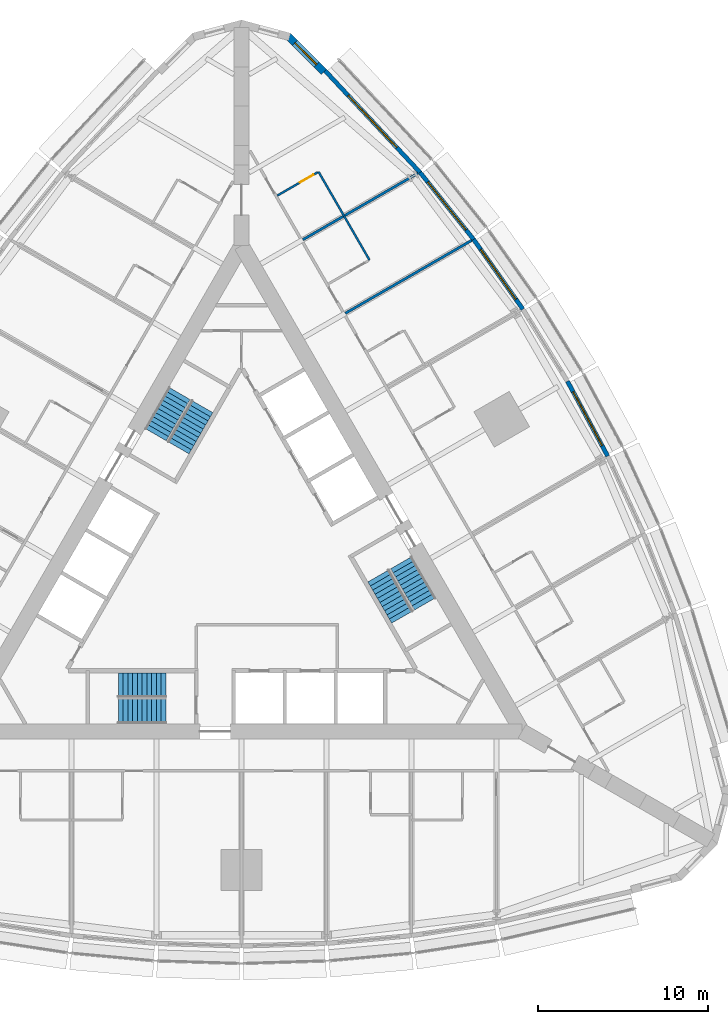
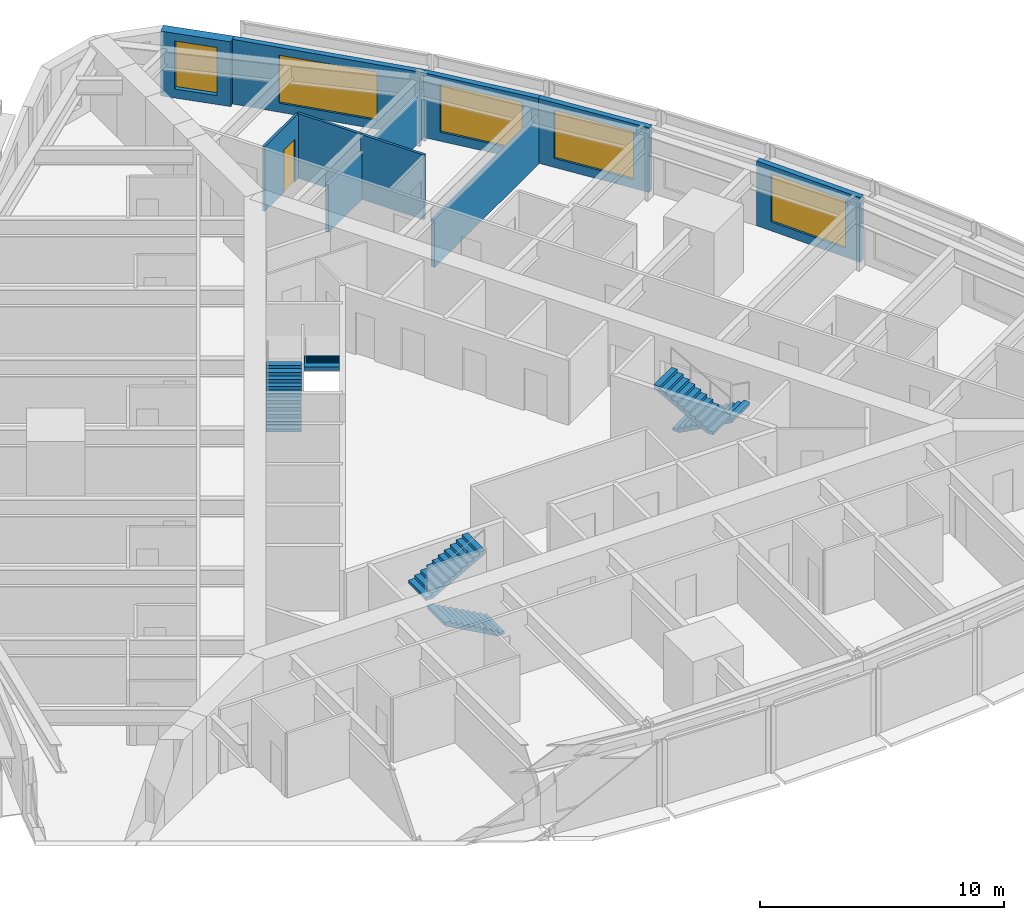
# One storey, part 13 of 14: 10 walls, 6 stair flights, 5 windows, 1 door, 6 openings, 3 elements without a shape of their own.
"""IFC4 building model written with IfcOpenShell, lengths in metres."""

from ifc_helpers import new_model, si_unit, direction, frame, frame_2d, origin, place, context, subcontext, project, spatial, polyline, rectangle, outline, extrude, material, layer, layer_set, type_object, element, fill, aggregate, save


model = new_model("IFC4")

# Units and contexts
model_context = context("Model", 3, precision=1e-05, world=origin(), true_north=direction((0.0, 1.0)))
body_context = subcontext(model_context, "Body", "Model", "MODEL_VIEW")
ifc_project = project(units=[si_unit("LENGTHUNIT", "METRE"), si_unit("AREAUNIT", "SQUARE_METRE"), si_unit("VOLUMEUNIT", "CUBIC_METRE"), si_unit("PLANEANGLEUNIT", "RADIAN"), si_unit("MASSUNIT", "GRAM", prefix="KILO")], contexts=[model_context])

# Site, building, storey
site_placement = place(None, origin())
site = spatial("IfcSite", under=ifc_project, at=site_placement, CompositionType="ELEMENT")
building_placement = place(site_placement, origin())
building = spatial("IfcBuilding", under=site, at=building_placement, Name="Trikona Tower", CompositionType="ELEMENT")
storey_placement = place(building_placement, frame((0.0, 0.0, 45.5)))
storey = spatial("IfcBuildingStorey", under=building, at=storey_placement, Name="L10", CompositionType="ELEMENT", Elevation=45.5)

# Walls
ifc_material_1 = material(Name="Metal stud and cement board", Category="gypsum")
ifc_layer_1 = layer(ifc_material_1, 0.1201171875)
ifc_layer_set_1 = layer_set([ifc_layer_1], Name="Bathroom wall 120")
wall_type_1 = type_object("IfcWallType", Name="Bathroom wall 120", PredefinedType="PLUMBINGWALL", material=ifc_layer_set_1)
for number, where, z_axis, x_axis, name in (
    (1, (7.53271484375, 18.205322265625, 0.0), (0.0, 0.0, 1.0), (-0.499990139034, 0.866031096941, 0.0), "Bathroom wall 1011"),
    (2, (6.03271484375, 20.803466796875, 0.0), (0.0, 0.0, 1.0), (-0.499990139034, 0.866031096941, 0.0), "Bathroom wall 1012"),
):
    element("IfcWall", number, at=place(storey_placement, frame(where, z_axis=z_axis, x_axis=x_axis)), inside=storey, type_object=wall_type_1, Name=name, PredefinedType="PLUMBINGWALL", context=body_context, shape_type="SweptSolid", body=[
        extrude(rectangle(XDim=3.0, YDim=0.1201171875, at=frame_2d((1.5, 0.0))), origin(), (0.0, 0.0, 1.0), 3.235107421875),
    ])

# Wall, opening, door
wall_1_placement = place(storey_placement, frame((2.10791015625, 22.001708984375, 0.0), z_axis=(0.0, 0.0, 1.0), x_axis=(0.866035715982, 0.499982138324, 0.0)))
wall_1 = element("IfcWall", 3, at=wall_1_placement, inside=storey, type_object=wall_type_1, Name="Bathroom wall 1012", PredefinedType="PLUMBINGWALL", context=body_context, shape_type="SweptSolid", body=[
    extrude(rectangle(XDim=2.73974609375, YDim=0.1201171875, at=frame_2d((1.369873046875, 0.0))), origin(), (0.0, 0.0, 1.0), 3.235107421875),
])
opening_1_placement = place(wall_1_placement, frame((1.550048828125, 0.0, 0.0)))
opening_1 = element("IfcOpeningElement", 4, at=opening_1_placement, cuts=wall_1, Name="Opening D2", PredefinedType="OPENING", context=body_context, shape_type="SweptSolid", body=[
    extrude(rectangle(XDim=0.89990234375, YDim=2.1298828125, at=frame_2d((0.449951171875, 1.06494140625))), frame((0.0, 0.070068359375, 0.0), z_axis=(0.0, -1.0, 0.0), x_axis=(1.0, 0.0, 0.0)), (0.0, 0.0, 1.0), 0.14013671875),
])
ifc_material_2 = material(Name="Steel door frame with solid-core timber leaf", Category="steel")
door_type = type_object("IfcDoorType", Name="Bathroom door 900x2130", OperationType="SLIDING_TO_LEFT", PredefinedType="DOOR", material=ifc_material_2)
door_placement = place(opening_1_placement, origin())
door = element("IfcDoor", 5, at=door_placement, inside=storey, type_object=door_type, Name="Bathroom door 1012", OperationType="SLIDING_TO_LEFT", OverallHeight=2.1298828125, OverallWidth=0.89990234375, PredefinedType="DOOR", context=body_context, shape_type="SweptSolid", body=[
    extrude(rectangle(XDim=0.89990234375, YDim=2.1298828125, at=frame_2d((0.449951171875, 1.06494140625))), frame((0.0, 0.02490234375, 0.0), z_axis=(0.0, -1.0, 0.0), x_axis=(1.0, 0.0, 0.0)), (0.0, 0.0, 1.0), 0.050048828125),
])
fill(opening_1, door)

# Wall, opening, window
ifc_material_3 = material(Name="Brick-faced precast concrete", Category="masonry")
ifc_layer_2 = layer(ifc_material_3, 0.449951171875)
ifc_layer_set_2 = layer_set([ifc_layer_2], Name="Brick-faced corner wall 450")
wall_type_2 = type_object("IfcWallType", Name="Brick-faced corner wall 450", PredefinedType="SOLIDWALL", material=ifc_layer_set_2)
wall_2_placement = place(storey_placement, frame((4.8408203125, 29.285888671875, 0.0), z_axis=(0.0, 0.0, 1.0), x_axis=(-0.707106781187, 0.707106781187, 0.0)))
wall_2 = element("IfcWall", 6, at=wall_2_placement, inside=storey, type_object=wall_type_2, Name="External wall L10-20", PredefinedType="SOLIDWALL", context=body_context, shape_type="SweptSolid", body=[
    extrude(rectangle(XDim=2.98828125, YDim=0.449951171875, at=frame_2d((1.494140625, 0.0))), origin(), (0.0, 0.0, 1.0), 3.235107421875),
])
opening_2_placement = place(wall_2_placement, frame((0.59423828125, 0.0, 0.449951171875)))
opening_2 = element("IfcOpeningElement", 7, at=opening_2_placement, cuts=wall_2, Name="Opening W1824", PredefinedType="OPENING", context=body_context, shape_type="SweptSolid", body=[
    extrude(rectangle(XDim=1.800048828125, YDim=2.39990234375, at=frame_2d((0.89990234375, 1.199951171875))), frame((0.0, 0.23486328125, 0.0), z_axis=(0.0, -1.0, 0.0), x_axis=(1.0, 0.0, 0.0)), (0.0, 0.0, 1.0), 0.469970703125),
])
ifc_material_4 = material(Name="Aluminium-framed double glazing", Category="aluminium")
window_type_1 = type_object("IfcWindowType", Name="Window 1800x2400", PartitioningType="SINGLE_PANEL", PredefinedType="WINDOW", material=ifc_material_4)
window_1_placement = place(opening_2_placement, origin())
window_1 = element("IfcWindow", 8, at=window_1_placement, inside=storey, type_object=window_type_1, Name="Window 1012", OverallHeight=2.39990234375, OverallWidth=1.800048828125, PartitioningType="SINGLE_PANEL", PredefinedType="WINDOW", context=body_context, shape_type="SweptSolid", body=[
    extrude(rectangle(XDim=1.800048828125, YDim=2.39990234375, at=frame_2d((0.89990234375, 1.199951171875))), frame((0.0, 0.030029296875, 0.0), z_axis=(0.0, -1.0, 0.0), x_axis=(1.0, 0.0, 0.0)), (0.0, 0.0, 1.0), 0.06005859375),
])
fill(opening_2, window_1)

ifc_material_5 = material(Name="Insulated precast concrete spandrel panel", Category="concrete")
ifc_layer_3 = layer(ifc_material_5, 0.25)
ifc_layer_set_3 = layer_set([ifc_layer_3], Name="Inner skin wall 250")
wall_type_3 = type_object("IfcWallType", Name="Inner skin wall 250", PredefinedType="STANDARD", material=ifc_layer_set_3)
wall_3_placement = place(storey_placement, frame((21.546630859375, 6.6708984375, 0.0), z_axis=(0.0, 0.0, 1.0), x_axis=(-0.473412820489, 0.880840678782, 0.0)))
wall_3 = element("IfcWall", 9, at=wall_3_placement, inside=storey, type_object=wall_type_3, Name="External wall L10-15", PredefinedType="STANDARD", context=body_context, shape_type="SweptSolid", body=[
    extrude(rectangle(XDim=5.00244140625, YDim=0.25, at=frame_2d((2.501220703125, 0.0))), origin(), (0.0, 0.0, 1.0), 3.235107421875),
])
opening_3_placement = place(wall_3_placement, frame((0.701171875, 0.0, 0.449951171875)))
opening_3 = element("IfcOpeningElement", 10, at=opening_3_placement, cuts=wall_3, Name="Opening W3624", PredefinedType="OPENING", context=body_context, shape_type="SweptSolid", body=[
    extrude(rectangle(XDim=3.60009765625, YDim=2.39990234375, at=frame_2d((1.800048828125, 1.199951171875))), frame((0.0, 0.135009765625, 0.0), z_axis=(0.0, -1.0, 0.0), x_axis=(1.0, 0.0, 0.0)), (0.0, 0.0, 1.0), 0.27001953125),
])
ifc_material_6 = material(Name="Aluminium-framed double glazing", Category="aluminium")
window_type_2 = type_object("IfcWindowType", Name="Window 3600x2400", PartitioningType="SINGLE_PANEL", PredefinedType="WINDOW", material=ifc_material_6)
window_2_placement = place(opening_3_placement, origin())
window_2 = element("IfcWindow", 11, at=window_2_placement, inside=storey, type_object=window_type_2, Name="Window 1009", OverallHeight=2.39990234375, OverallWidth=3.60009765625, PartitioningType="SINGLE_PANEL", PredefinedType="WINDOW", context=body_context, shape_type="SweptSolid", body=[
    extrude(rectangle(XDim=3.60009765625, YDim=2.39990234375, at=frame_2d((1.800048828125, 1.199951171875))), frame((0.0, 0.030029296875, 0.0), z_axis=(0.0, -1.0, 0.0), x_axis=(1.0, 0.0, 0.0)), (0.0, 0.0, 1.0), 0.06005859375),
])
fill(opening_3, window_2)

wall_4_placement = place(storey_placement, frame((16.5546875, 15.318115234375, 0.0), z_axis=(0.0, 0.0, 1.0), x_axis=(-0.5766431066, 0.81699616132, 0.0)))
wall_4 = element("IfcWall", 12, at=wall_4_placement, inside=storey, type_object=wall_type_3, Name="External wall L10-17", PredefinedType="STANDARD", context=body_context, shape_type="SweptSolid", body=[
    extrude(rectangle(XDim=5.02099609375, YDim=0.25, at=frame_2d((2.510498046875, 0.0))), origin(), (0.0, 0.0, 1.0), 3.235107421875),
])
opening_4_placement = place(wall_4_placement, frame((0.71044921875, 0.0, 0.449951171875)))
opening_4 = element("IfcOpeningElement", 13, at=opening_4_placement, cuts=wall_4, Name="Opening W3624", PredefinedType="OPENING", context=body_context, shape_type="SweptSolid", body=[
    extrude(rectangle(XDim=3.60009765625, YDim=2.39990234375, at=frame_2d((1.800048828125, 1.199951171875))), frame((0.0, 0.135009765625, 0.0), z_axis=(0.0, -1.0, 0.0), x_axis=(1.0, 0.0, 0.0)), (0.0, 0.0, 1.0), 0.27001953125),
])
window_3_placement = place(opening_4_placement, origin())
window_3 = element("IfcWindow", 14, at=window_3_placement, inside=storey, type_object=window_type_2, Name="Window 1010", OverallHeight=2.39990234375, OverallWidth=3.60009765625, PartitioningType="SINGLE_PANEL", PredefinedType="WINDOW", context=body_context, shape_type="SweptSolid", body=[
    extrude(rectangle(XDim=3.60009765625, YDim=2.39990234375, at=frame_2d((1.800048828125, 1.199951171875))), frame((0.0, 0.030029296875, 0.0), z_axis=(0.0, -1.0, 0.0), x_axis=(1.0, 0.0, 0.0)), (0.0, 0.0, 1.0), 0.06005859375),
])
fill(opening_4, window_3)

wall_5_placement = place(storey_placement, frame((13.663818359375, 19.4140625, 0.0), z_axis=(0.0, 0.0, 1.0), x_axis=(-0.624594965756, 0.780948864364, 0.0)))
wall_5 = element("IfcWall", 15, at=wall_5_placement, inside=storey, type_object=wall_type_3, Name="External wall L10-18", PredefinedType="STANDARD", context=body_context, shape_type="SweptSolid", body=[
    extrude(rectangle(XDim=5.0576171875, YDim=0.25, at=frame_2d((2.52880859375, 0.0))), origin(), (0.0, 0.0, 1.0), 3.235107421875),
])
opening_5_placement = place(wall_5_placement, frame((0.728759765625, 0.0, 0.449951171875)))
opening_5 = element("IfcOpeningElement", 16, at=opening_5_placement, cuts=wall_5, Name="Opening W3624", PredefinedType="OPENING", context=body_context, shape_type="SweptSolid", body=[
    extrude(rectangle(XDim=3.60009765625, YDim=2.39990234375, at=frame_2d((1.800048828125, 1.199951171875))), frame((0.0, 0.135009765625, 0.0), z_axis=(0.0, -1.0, 0.0), x_axis=(1.0, 0.0, 0.0)), (0.0, 0.0, 1.0), 0.27001953125),
])
window_4_placement = place(opening_5_placement, origin())
window_4 = element("IfcWindow", 17, at=window_4_placement, inside=storey, type_object=window_type_2, Name="Window 1011", OverallHeight=2.39990234375, OverallWidth=3.60009765625, PartitioningType="SINGLE_PANEL", PredefinedType="WINDOW", context=body_context, shape_type="SweptSolid", body=[
    extrude(rectangle(XDim=3.60009765625, YDim=2.39990234375, at=frame_2d((1.800048828125, 1.199951171875))), frame((0.0, 0.030029296875, 0.0), z_axis=(0.0, -1.0, 0.0), x_axis=(1.0, 0.0, 0.0)), (0.0, 0.0, 1.0), 0.06005859375),
])
fill(opening_5, window_4)

wall_6_placement = place(storey_placement, frame((10.510986328125, 23.356689453125, 0.0), z_axis=(0.0, 0.0, 1.0), x_axis=(-0.682289646561, 0.731081964075, 0.0)))
wall_6 = element("IfcWall", 18, at=wall_6_placement, inside=storey, type_object=wall_type_3, Name="External wall L10-19", PredefinedType="STANDARD", context=body_context, shape_type="SweptSolid", body=[
    extrude(rectangle(XDim=8.2109375, YDim=0.25, at=frame_2d((4.10546875, 0.0))), origin(), (0.0, 0.0, 1.0), 3.235107421875),
])
opening_6_placement = place(wall_6_placement, frame((2.005615234375, 0.0, 0.449951171875)))
opening_6 = element("IfcOpeningElement", 19, at=opening_6_placement, cuts=wall_6, Name="Opening W4224", PredefinedType="OPENING", context=body_context, shape_type="SweptSolid", body=[
    extrude(rectangle(XDim=4.199951171875, YDim=2.39990234375, at=frame_2d((2.10009765625, 1.199951171875))), frame((0.0, 0.135009765625, 0.0), z_axis=(0.0, -1.0, 0.0), x_axis=(1.0, 0.0, 0.0)), (0.0, 0.0, 1.0), 0.27001953125),
])
ifc_material_7 = material(Name="Aluminium-framed double glazing", Category="aluminium")
window_type_3 = type_object("IfcWindowType", Name="Window 4200x2400", PartitioningType="SINGLE_PANEL", PredefinedType="WINDOW", material=ifc_material_7)
window_5_placement = place(opening_6_placement, origin())
window_5 = element("IfcWindow", 20, at=window_5_placement, inside=storey, type_object=window_type_3, Name="Window 1012", OverallHeight=2.39990234375, OverallWidth=4.199951171875, PartitioningType="SINGLE_PANEL", PredefinedType="WINDOW", context=body_context, shape_type="SweptSolid", body=[
    extrude(rectangle(XDim=4.199951171875, YDim=2.39990234375, at=frame_2d((2.10009765625, 1.199951171875))), frame((0.0, 0.030029296875, 0.0), z_axis=(0.0, -1.0, 0.0), x_axis=(1.0, 0.0, 0.0)), (0.0, 0.0, 1.0), 0.06005859375),
])
fill(opening_6, window_5)

# Walls
ifc_material_8 = material(Name="Metal stud and gypsum board, 1-hour acoustic", Category="gypsum")
ifc_layer_4 = layer(ifc_material_8, 0.14990234375)
ifc_layer_set_4 = layer_set([ifc_layer_4], Name="Party wall 150")
wall_type_4 = type_object("IfcWallType", Name="Party wall 150", PredefinedType="PARTITIONING", material=ifc_layer_set_4)
wall_7_placement = place(storey_placement, frame((6.10791015625, 15.073486328125, 0.0), z_axis=(0.0, 0.0, 1.0), x_axis=(0.866031196456, 0.499989966665, 0.0)))
element("IfcWall", 21, at=wall_7_placement, inside=storey, type_object=wall_type_4, Name="Partition L10 F2 u10", PredefinedType="PARTITIONING", context=body_context, shape_type="SweptSolid", body=[
    extrude(rectangle(XDim=8.584716796875, YDim=0.14990234375, at=frame_2d((4.29248046875, 0.0))), origin(), (0.0, 0.0, 1.0), 2.38916015625),
])
wall_8_placement = place(storey_placement, frame((3.60791015625, 19.403564453125, 0.0), z_axis=(0.0, 0.0, 1.0), x_axis=(0.866021300503, 0.500007107024, 0.0)))
element("IfcWall", 22, at=wall_8_placement, inside=storey, type_object=wall_type_4, Name="Partition L10 F2 u15", PredefinedType="PARTITIONING", context=body_context, shape_type="SweptSolid", body=[
    extrude(rectangle(XDim=7.8203125, YDim=0.14990234375, at=frame_2d((3.91015625, 0.0))), origin(), (0.0, 0.0, 1.0), 2.38916015625),
])

# Stair, stair flights
ifc_material_9 = material(Name="Concrete f'c 5000 psi", Category="concrete")
stair_type = type_object("IfcStairType", Name="Core stair", PredefinedType="HALF_TURN_STAIR", material=ifc_material_9)
stair_1_placement = place(storey_placement, origin())
stair_1 = element("IfcStair", 23, at=stair_1_placement, inside=storey, type_object=stair_type, Name="Stair A L10", PredefinedType="HALF_TURN_STAIR")
ifc_material_10 = material(Name="Concrete f'c 5000 psi", Category="concrete")
stair_flight_type = type_object("IfcStairFlightType", Name="Core stair flight 1450", PredefinedType="STRAIGHT", material=ifc_material_10)
stair_flight_1_placement = place(storey_placement, frame((-4.449951171875, -8.351318359375, 0.0), z_axis=(0.0, 0.0, 1.0), x_axis=(-1.0, 0.0, 0.0)))
stair_flight_1 = element("IfcStairFlight", 24, at=stair_flight_1_placement, type_object=stair_flight_type, Name="ST-A flight 1", NumberOfRisers=11, NumberOfTreads=10, PredefinedType="STRAIGHT", RiserHeight=0.154545, TreadLength=0.28, context=body_context, shape_type="SweptSolid", body=[
    extrude(outline(polyline([(0.0, 0.0), (0.0, 0.154541015625), (0.280029296875, 0.154541015625), (0.280029296875, 0.30908203125), (0.56005859375, 0.30908203125), (0.56005859375, 0.463623046875), (0.840087890625, 0.463623046875), (0.840087890625, 0.6181640625), (1.1201171875, 0.6181640625), (1.1201171875, 0.772705078125), (1.39990234375, 0.772705078125), (1.39990234375, 0.92724609375), (1.679931640625, 0.92724609375), (1.679931640625, 1.081787109375), (1.9599609375, 1.081787109375), (1.9599609375, 1.236328125), (2.239990234375, 1.236328125), (2.239990234375, 1.390869140625), (2.52001953125, 1.390869140625), (2.52001953125, 1.54541015625), (2.800048828125, 1.54541015625), (2.800048828125, 1.699951171875), (2.800048828125, 1.374267578125), (0.310302734375, 0.0), (0.0, 0.0)])), frame((0.0, 0.72509765625, 0.0), z_axis=(0.0, -1.0, 0.0), x_axis=(1.0, 0.0, 0.0)), (0.0, 0.0, 1.0), 1.449951171875),
])
stair_flight_2_placement = place(storey_placement, frame((-7.25, -6.80126953125, 1.699951171875), z_axis=(0.0, 0.0, 1.0), x_axis=(1.0, 0.0, 0.0)))
stair_flight_2 = element("IfcStairFlight", 25, at=stair_flight_2_placement, type_object=stair_flight_type, Name="ST-A flight 2", NumberOfRisers=11, NumberOfTreads=10, PredefinedType="STRAIGHT", RiserHeight=0.154545, TreadLength=0.28, context=body_context, shape_type="SweptSolid", body=[
    extrude(outline(polyline([(0.0, 0.0), (0.0, 0.154541015625), (0.280029296875, 0.154541015625), (0.280029296875, 0.30908203125), (0.56005859375, 0.30908203125), (0.56005859375, 0.463623046875), (0.840087890625, 0.463623046875), (0.840087890625, 0.6181640625), (1.1201171875, 0.6181640625), (1.1201171875, 0.772705078125), (1.39990234375, 0.772705078125), (1.39990234375, 0.92724609375), (1.679931640625, 0.92724609375), (1.679931640625, 1.081787109375), (1.9599609375, 1.081787109375), (1.9599609375, 1.236328125), (2.239990234375, 1.236328125), (2.239990234375, 1.390869140625), (2.52001953125, 1.390869140625), (2.52001953125, 1.54541015625), (2.800048828125, 1.54541015625), (2.800048828125, 1.699951171875), (2.800048828125, 1.374267578125), (0.310302734375, 0.0), (0.0, 0.0)])), frame((0.0, 0.72509765625, 0.0), z_axis=(0.0, -1.0, 0.0), x_axis=(1.0, 0.0, 0.0)), (0.0, 0.0, 1.0), 1.449951171875),
])
aggregate(stair_1, [stair_flight_1, stair_flight_2])

stair_2_placement = place(storey_placement, origin())
stair_2 = element("IfcStair", 26, at=stair_2_placement, inside=storey, type_object=stair_type, Name="Stair B L10", PredefinedType="HALF_TURN_STAIR")
stair_flight_3_placement = place(storey_placement, frame((9.407470703125, 0.408447265625, 0.0), z_axis=(0.0, 0.0, 1.0), x_axis=(0.5, -0.866025403784, 0.0)))
stair_flight_3 = element("IfcStairFlight", 27, at=stair_flight_3_placement, type_object=stair_flight_type, Name="ST-B flight 1", NumberOfRisers=11, NumberOfTreads=10, PredefinedType="STRAIGHT", RiserHeight=0.154545, TreadLength=0.28, context=body_context, shape_type="SweptSolid", body=[
    extrude(outline(polyline([(0.0, 0.0), (0.0, 0.154541015625), (0.280029296875, 0.154541015625), (0.280029296875, 0.30908203125), (0.56005859375, 0.30908203125), (0.56005859375, 0.463623046875), (0.840087890625, 0.463623046875), (0.840087890625, 0.6181640625), (1.1201171875, 0.6181640625), (1.1201171875, 0.772705078125), (1.39990234375, 0.772705078125), (1.39990234375, 0.92724609375), (1.679931640625, 0.92724609375), (1.679931640625, 1.081787109375), (1.9599609375, 1.081787109375), (1.9599609375, 1.236328125), (2.239990234375, 1.236328125), (2.239990234375, 1.390869140625), (2.52001953125, 1.390869140625), (2.52001953125, 1.54541015625), (2.800048828125, 1.54541015625), (2.800048828125, 1.699951171875), (2.800048828125, 1.374267578125), (0.310302734375, 0.0), (0.0, 0.0)])), frame((0.0, 0.72509765625, 0.0), z_axis=(0.0, -1.0, 0.0), x_axis=(1.0, 0.0, 0.0)), (0.0, 0.0, 1.0), 1.449951171875),
])
stair_flight_4_placement = place(storey_placement, frame((9.465087890625, -2.79150390625, 1.699951171875), z_axis=(0.0, 0.0, 1.0), x_axis=(-0.5, 0.866025403784, 0.0)))
stair_flight_4 = element("IfcStairFlight", 28, at=stair_flight_4_placement, type_object=stair_flight_type, Name="ST-B flight 2", NumberOfRisers=11, NumberOfTreads=10, PredefinedType="STRAIGHT", RiserHeight=0.154545, TreadLength=0.28, context=body_context, shape_type="SweptSolid", body=[
    extrude(outline(polyline([(0.0, 0.0), (0.0, 0.154541015625), (0.280029296875, 0.154541015625), (0.280029296875, 0.30908203125), (0.56005859375, 0.30908203125), (0.56005859375, 0.463623046875), (0.840087890625, 0.463623046875), (0.840087890625, 0.6181640625), (1.1201171875, 0.6181640625), (1.1201171875, 0.772705078125), (1.39990234375, 0.772705078125), (1.39990234375, 0.92724609375), (1.679931640625, 0.92724609375), (1.679931640625, 1.081787109375), (1.9599609375, 1.081787109375), (1.9599609375, 1.236328125), (2.239990234375, 1.236328125), (2.239990234375, 1.390869140625), (2.52001953125, 1.390869140625), (2.52001953125, 1.54541015625), (2.800048828125, 1.54541015625), (2.800048828125, 1.699951171875), (2.800048828125, 1.374267578125), (0.310302734375, 0.0), (0.0, 0.0)])), frame((0.0, 0.72509765625, 0.0), z_axis=(0.0, -1.0, 0.0), x_axis=(1.0, 0.0, 0.0)), (0.0, 0.0, 1.0), 1.449951171875),
])
aggregate(stair_2, [stair_flight_3, stair_flight_4])

stair_3_placement = place(storey_placement, origin())
stair_3 = element("IfcStair", 29, at=stair_3_placement, inside=storey, type_object=stair_type, Name="Stair C L10", PredefinedType="HALF_TURN_STAIR")
stair_flight_5_placement = place(storey_placement, frame((-5.057373046875, 7.94287109375, 0.0), z_axis=(0.0, 0.0, 1.0), x_axis=(0.5, 0.866025403784, 0.0)))
stair_flight_5 = element("IfcStairFlight", 30, at=stair_flight_5_placement, type_object=stair_flight_type, Name="ST-C flight 1", NumberOfRisers=11, NumberOfTreads=10, PredefinedType="STRAIGHT", RiserHeight=0.154545, TreadLength=0.28, context=body_context, shape_type="SweptSolid", body=[
    extrude(outline(polyline([(0.0, 0.0), (0.0, 0.154541015625), (0.280029296875, 0.154541015625), (0.280029296875, 0.30908203125), (0.56005859375, 0.30908203125), (0.56005859375, 0.463623046875), (0.840087890625, 0.463623046875), (0.840087890625, 0.6181640625), (1.1201171875, 0.6181640625), (1.1201171875, 0.772705078125), (1.39990234375, 0.772705078125), (1.39990234375, 0.92724609375), (1.679931640625, 0.92724609375), (1.679931640625, 1.081787109375), (1.9599609375, 1.081787109375), (1.9599609375, 1.236328125), (2.239990234375, 1.236328125), (2.239990234375, 1.390869140625), (2.52001953125, 1.390869140625), (2.52001953125, 1.54541015625), (2.800048828125, 1.54541015625), (2.800048828125, 1.699951171875), (2.800048828125, 1.374267578125), (0.310302734375, 0.0), (0.0, 0.0)])), frame((0.0, 0.72509765625, 0.0), z_axis=(0.0, -1.0, 0.0), x_axis=(1.0, 0.0, 0.0)), (0.0, 0.0, 1.0), 1.449951171875),
])
stair_flight_6_placement = place(storey_placement, frame((-2.315185546875, 9.5927734375, 1.699951171875), z_axis=(0.0, 0.0, 1.0), x_axis=(-0.5, -0.866025403784, 0.0)))
stair_flight_6 = element("IfcStairFlight", 31, at=stair_flight_6_placement, type_object=stair_flight_type, Name="ST-C flight 2", NumberOfRisers=11, NumberOfTreads=10, PredefinedType="STRAIGHT", RiserHeight=0.154545, TreadLength=0.28, context=body_context, shape_type="SweptSolid", body=[
    extrude(outline(polyline([(0.0, 0.0), (0.0, 0.154541015625), (0.280029296875, 0.154541015625), (0.280029296875, 0.30908203125), (0.56005859375, 0.30908203125), (0.56005859375, 0.463623046875), (0.840087890625, 0.463623046875), (0.840087890625, 0.6181640625), (1.1201171875, 0.6181640625), (1.1201171875, 0.772705078125), (1.39990234375, 0.772705078125), (1.39990234375, 0.92724609375), (1.679931640625, 0.92724609375), (1.679931640625, 1.081787109375), (1.9599609375, 1.081787109375), (1.9599609375, 1.236328125), (2.239990234375, 1.236328125), (2.239990234375, 1.390869140625), (2.52001953125, 1.390869140625), (2.52001953125, 1.54541015625), (2.800048828125, 1.54541015625), (2.800048828125, 1.699951171875), (2.800048828125, 1.374267578125), (0.310302734375, 0.0), (0.0, 0.0)])), frame((0.0, 0.72509765625, 0.0), z_axis=(0.0, -1.0, 0.0), x_axis=(1.0, 0.0, 0.0)), (0.0, 0.0, 1.0), 1.449951171875),
])
aggregate(stair_3, [stair_flight_5, stair_flight_6])

save(model, "model.ifc")
